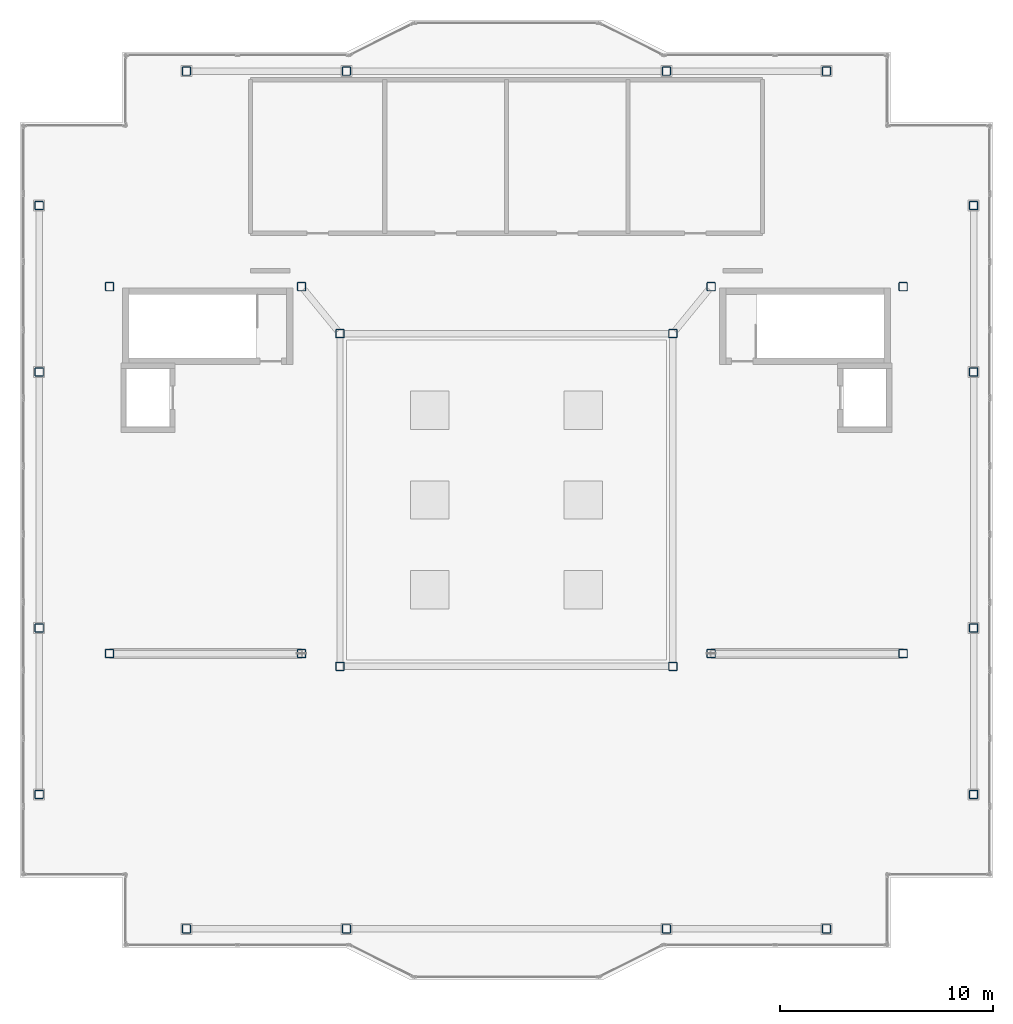
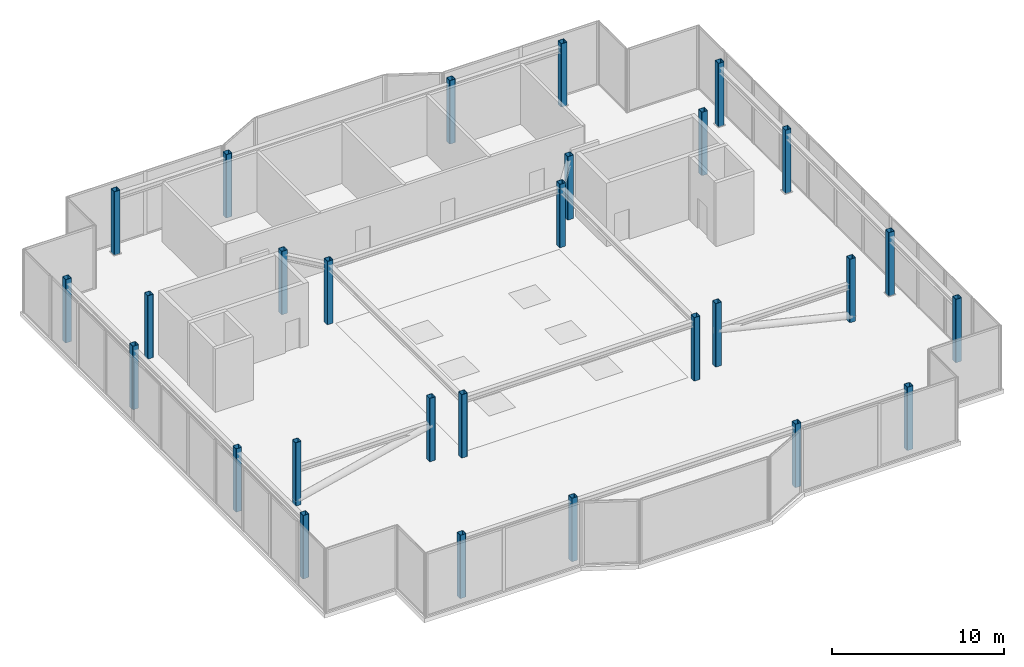
# One storey, part 1 of 18: 28 columns.
"""IFC4 building model written with IfcOpenShell, lengths in metres."""

from ifc_helpers import new_model, si_unit, direction, frame, origin, origin_2d, place, context, subcontext, project, spatial, hollow_rectangle, extrude, material, material_profile, profile_set, type_object, element, save


model = new_model("IFC4")

# Units and contexts
model_context = context("Model", 3, precision=1e-05, world=origin(), true_north=direction((0.0, 1.0)))
body_context = subcontext(model_context, "Body", "Model", "MODEL_VIEW")
ifc_project = project(units=[si_unit("LENGTHUNIT", "METRE"), si_unit("AREAUNIT", "SQUARE_METRE"), si_unit("VOLUMEUNIT", "CUBIC_METRE"), si_unit("PLANEANGLEUNIT", "RADIAN"), si_unit("MASSUNIT", "GRAM", prefix="KILO")], contexts=[model_context])

# Site, building, storey
site_placement = place(None, origin())
site = spatial("IfcSite", under=ifc_project, at=site_placement, CompositionType="ELEMENT")
building_placement = place(site_placement, origin())
building = spatial("IfcBuilding", under=site, at=building_placement, Name="Tarnavaz Court Tower", CompositionType="ELEMENT")
storey_placement = place(building_placement, frame((0.0, 0.0, 281.550048828125)))
storey = spatial("IfcBuildingStorey", under=building, at=storey_placement, Name="C01", CompositionType="ELEMENT", Elevation=281.550048828125)

# Columns
ifc_material = material(Name="Steel S355", Category="steel")
ifc_material_profile = material_profile(ifc_material, hollow_rectangle(XDim=0.39990234375, YDim=0.39990234375, WallThickness=0.02001953125, InnerFilletRadius=0.02001953125, OuterFilletRadius=0.0400390625, at=origin_2d()), Name="SHS 400X400X20")
ifc_profile_set = profile_set([ifc_material_profile], Name="Steel S355")
column_type = type_object("IfcColumnType", Name="CL-CR-SHS300", PredefinedType="USERDEFINED", material=ifc_profile_set)
for number, where, z_axis, x_axis, name in (
    (1, (-7.800048828125, -7.800048828125, 0.0), (0.0, 0.0, 1.0), (1.0, 0.0, 0.0), "C01 Column IW-SW"),
    (2, (7.800048828125, -7.800048828125, 0.0), (0.0, 0.0, 1.0), (1.0, 0.0, 0.0), "C01 Column IW-SE"),
    (3, (-7.800048828125, 7.800048828125, 0.0), (0.0, 0.0, 1.0), (1.0, 0.0, 0.0), "C01 Column IW-NW"),
    (4, (7.800048828125, 7.800048828125, 0.0), (0.0, 0.0, 1.0), (1.0, 0.0, 0.0), "C01 Column IW-NE"),
    (5, (-9.60009765625, -7.199951171875, 0.0), (0.0, 0.0, 1.0), (1.0, 0.0, 0.0), "C01 Column CW-SI"),
    (6, (-9.60009765625, 10.0, 0.0), (0.0, 0.0, 1.0), (1.0, 0.0, 0.0), "C01 Column CW-NI"),
    (7, (9.60009765625, -7.199951171875, 0.0), (0.0, 0.0, 1.0), (1.0, 0.0, 0.0), "C01 Column CE-SI"),
    (8, (9.60009765625, 10.0, 0.0), (0.0, 0.0, 1.0), (1.0, 0.0, 0.0), "C01 Column CE-NI"),
    (9, (-18.60009765625, -7.199951171875, 0.0), (0.0, 0.0, 1.0), (1.0, 0.0, 0.0), "C01 Column CW-SO"),
    (10, (-18.60009765625, 10.0, 0.0), (0.0, 0.0, 1.0), (1.0, 0.0, 0.0), "C01 Column CW-NO"),
    (11, (18.60009765625, -7.199951171875, 0.0), (0.0, 0.0, 1.0), (1.0, 0.0, 0.0), "C01 Column CE-SO"),
    (12, (18.60009765625, 10.0, 0.0), (0.0, 0.0, 1.0), (1.0, 0.0, 0.0), "C01 Column CE-NO"),
    (13, (-15.0, 20.10009765625, 0.0), (0.0, 0.0, 1.0), (1.0, 0.0, 0.0), "C01 Column PN-1"),
    (14, (-7.5, 20.10009765625, 0.0), (0.0, 0.0, 1.0), (1.0, 0.0, 0.0), "C01 Column PN-2"),
    (15, (7.5, 20.10009765625, 0.0), (0.0, 0.0, 1.0), (1.0, 0.0, 0.0), "C01 Column PN-3"),
    (16, (15.0, 20.10009765625, 0.0), (0.0, 0.0, 1.0), (1.0, 0.0, 0.0), "C01 Column PN-4"),
    (17, (-15.0, -20.10009765625, 0.0), (0.0, 0.0, 1.0), (1.0, 0.0, 0.0), "C01 Column PS-1"),
    (18, (-7.5, -20.10009765625, 0.0), (0.0, 0.0, 1.0), (1.0, 0.0, 0.0), "C01 Column PS-2"),
    (19, (7.5, -20.10009765625, 0.0), (0.0, 0.0, 1.0), (1.0, 0.0, 0.0), "C01 Column PS-3"),
    (20, (15.0, -20.10009765625, 0.0), (0.0, 0.0, 1.0), (1.0, 0.0, 0.0), "C01 Column PS-4"),
    (21, (21.89990234375, -13.800048828125, 0.0), (0.0, 0.0, 1.0), (1.0, 0.0, 0.0), "C01 Column PE-1"),
    (22, (21.89990234375, -6.0, 0.0), (0.0, 0.0, 1.0), (1.0, 0.0, 0.0), "C01 Column PE-2"),
    (23, (21.89990234375, 6.0, 0.0), (0.0, 0.0, 1.0), (1.0, 0.0, 0.0), "C01 Column PE-3"),
    (24, (21.89990234375, 13.800048828125, 0.0), (0.0, 0.0, 1.0), (1.0, 0.0, 0.0), "C01 Column PE-4"),
    (25, (-21.89990234375, -13.800048828125, 0.0), (0.0, 0.0, 1.0), (1.0, 0.0, 0.0), "C01 Column PW-1"),
    (26, (-21.89990234375, -6.0, 0.0), (0.0, 0.0, 1.0), (1.0, 0.0, 0.0), "C01 Column PW-2"),
    (27, (-21.89990234375, 6.0, 0.0), (0.0, 0.0, 1.0), (1.0, 0.0, 0.0), "C01 Column PW-3"),
    (28, (-21.89990234375, 13.800048828125, 0.0), (0.0, 0.0, 1.0), (1.0, 0.0, 0.0), "C01 Column PW-4"),
):
    element("IfcColumn", number, at=place(storey_placement, frame(where, z_axis=z_axis, x_axis=x_axis)), inside=storey, type_object=column_type, Name=name, ObjectType="CROWN FRAME", PredefinedType="USERDEFINED", context=body_context, shape_type="SweptSolid", body=[
        extrude(hollow_rectangle(XDim=0.39990234375, YDim=0.39990234375, WallThickness=0.02001953125, InnerFilletRadius=0.02001953125, OuterFilletRadius=0.0400390625, at=origin_2d()), origin(), (0.0, 0.0, 1.0), 4.5),
    ])

save(model, "model.ifc")
